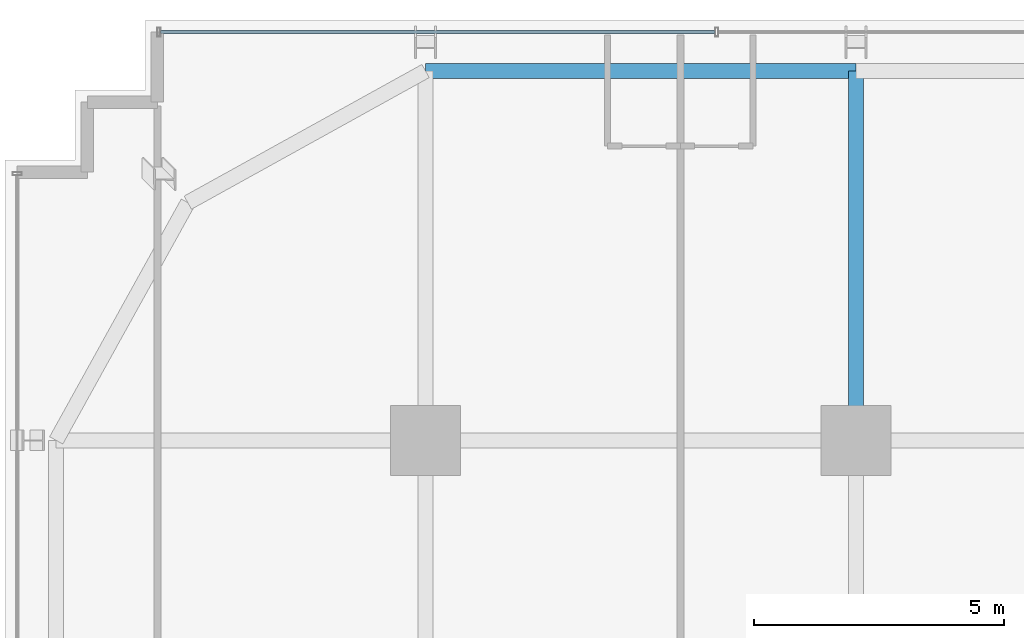
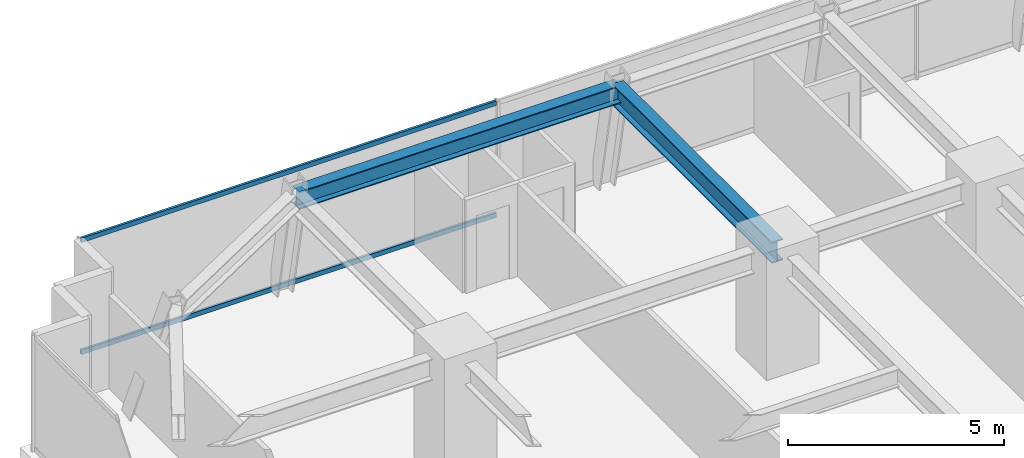
# One storey, part 20 of 35: 2 beams, 2 members, 1 element without a shape of its own.
"""IFC4 building model written with IfcOpenShell, lengths in metres."""

import ifcopenshell
import ifcopenshell.guid

model = None  # the IFC model being written
_history = None  # IfcOwnerHistory: only IFC2X3 demands one
_inside = {}  # id of a spatial element -> (the spatial element, [elements in it])
_under = {}  # id of a project, library or spatial element -> (it, [spatial elements below it])
_declared = {}  # id of a project -> (the project, [libraries it declares])
_typed = {}  # id of a type object -> (the type object, [elements of that type])
_made_of = {}  # id of a material, layer set ... -> (it, [elements and type objects made of it])


def new_model(schema):
    """Start an empty IFC model of exactly this schema.

    Asked for "IFC4X3", IfcOpenShell would pick the latest addendum, in which some entities
    have other attributes; the version numbers below select the first issue.
    IFC2X3 requires an IfcOwnerHistory on every rooted entity: one is made here for all.
    """
    global model, _history
    if schema == "IFC4X3":
        model = ifcopenshell.file(schema_version=(4, 3, 0, 0))
    else:
        model = ifcopenshell.file(schema=schema)
    _inside.clear()
    _under.clear()
    _declared.clear()
    _typed.clear()
    _made_of.clear()
    _history = None
    if model.schema == "IFC2X3":
        org = make("IfcOrganization", Name="unknown")
        user = make(
            "IfcPersonAndOrganization",
            ThePerson=make("IfcPerson", FamilyName="unknown"),
            TheOrganization=org,
        )
        app = make(
            "IfcApplication",
            ApplicationDeveloper=org,
            Version="unknown",
            ApplicationFullName="unknown",
            ApplicationIdentifier="unknown",
        )
        _history = make(
            "IfcOwnerHistory",
            OwningUser=user,
            OwningApplication=app,
            ChangeAction="ADDED",
            CreationDate=0,
        )
    return model


def make(cls, **values):
    """One entity of the class cls with the attributes given. An attribute that is None is left unset."""
    return model.create_entity(
        cls, **{name: value for name, value in values.items() if value is not None}
    )


def rooted(cls, **values):
    """An entity with a GlobalId (a new one), such as an element, a storey or a relation."""
    return make(cls, GlobalId=ifcopenshell.guid.new(), OwnerHistory=_history, **values)


def si_unit(unit_type, name, prefix=None):
    """IfcSIUnit, for example si_unit("LENGTHUNIT", "METRE", prefix="MILLI")."""
    return make("IfcSIUnit", UnitType=unit_type, Prefix=prefix, Name=name)


def assignment(units):
    """IfcUnitAssignment: the units of a project."""
    return None if units is None else make("IfcUnitAssignment", Units=units)


def point(xyz):
    """IfcCartesianPoint."""
    return None if xyz is None else make("IfcCartesianPoint", Coordinates=xyz)


def direction(xyz):
    """IfcDirection."""
    return None if xyz is None else make("IfcDirection", DirectionRatios=xyz)


def frame(location, z_axis=None, x_axis=None):
    """IfcAxis2Placement3D, a coordinate frame: its origin and axes. An axis left out is left unset."""
    return make(
        "IfcAxis2Placement3D",
        Location=point(location),
        Axis=direction(z_axis),
        RefDirection=direction(x_axis),
    )


def frame_2d(location, x_axis=None):
    """IfcAxis2Placement2D, a coordinate frame in the plane: its origin and x axis."""
    return make(
        "IfcAxis2Placement2D", Location=point(location), RefDirection=direction(x_axis)
    )


def origin():
    """The frame at (0, 0, 0) with its axes left unset."""
    return frame((0.0, 0.0, 0.0))


def origin_2d():
    """The frame at (0, 0) in the plane with its x axis left unset."""
    return frame_2d((0.0, 0.0))


def place(relative_to, where):
    """IfcLocalPlacement: puts the frame where relative to a parent placement (None: the world)."""
    return make(
        "IfcLocalPlacement", PlacementRelTo=relative_to, RelativePlacement=where
    )


def context(
    kind, dimensions, precision=None, world=None, true_north=None, identifier=None
):
    """IfcGeometricRepresentationContext, for example the 3D "Model" context."""
    return make(
        "IfcGeometricRepresentationContext",
        ContextIdentifier=identifier,
        ContextType=kind,
        CoordinateSpaceDimension=dimensions,
        Precision=precision,
        WorldCoordinateSystem=world,
        TrueNorth=true_north,
    )


def subcontext(parent, identifier, kind, view, scale=None):
    """IfcGeometricRepresentationSubContext, for example "Body" below "Model"."""
    return make(
        "IfcGeometricRepresentationSubContext",
        ContextIdentifier=identifier,
        ContextType=kind,
        ParentContext=parent,
        TargetScale=scale,
        TargetView=view,
    )


def project(units=None, contexts=None):
    """IfcProject with its units and contexts."""
    return rooted(
        "IfcProject",
        Name="project",
        RepresentationContexts=contexts,
        UnitsInContext=assignment(units),
    )


def spatial(cls, under=None, at=None, **own):
    """A site, building, storey or space (cls), placed at a placement, below another one or the project."""
    s = rooted(cls, ObjectPlacement=at, **own)
    if under is not None:
        _under.setdefault(under.id(), (under, []))[1].append(s)
    return s


def profile(cls, at=None, kind="AREA", **sizes):
    """A parametric profile (cls). Its sizes go by their IFC names, for example OverallWidth=200.0."""
    return make(cls, ProfileType=kind, Position=at, **sizes)


def hollow_rectangle(**sizes):
    """IfcRectangleHollowProfileDef."""
    return profile("IfcRectangleHollowProfileDef", **sizes)


def i_section(**sizes):
    """IfcIShapeProfileDef."""
    return profile("IfcIShapeProfileDef", **sizes)


def extrude(swept, where, along, depth):
    """IfcExtrudedAreaSolid: the profile swept, set in the frame where, extruded along a direction by depth."""
    return make(
        "IfcExtrudedAreaSolid",
        SweptArea=swept,
        Position=where,
        ExtrudedDirection=direction(along),
        Depth=depth,
    )


def shape(context_of_items, identifier, shape_type, items):
    """IfcShapeRepresentation: the items that make up one representation, for example the "Body"."""
    return make(
        "IfcShapeRepresentation",
        ContextOfItems=context_of_items,
        RepresentationIdentifier=identifier,
        RepresentationType=shape_type,
        Items=items,
    )


def source(mapping_origin, context_of_items, identifier, shape_type, items):
    """IfcRepresentationMap: a shape defined once, which mapped items show again and again."""
    return make(
        "IfcRepresentationMap",
        MappingOrigin=mapping_origin,
        MappedRepresentation=shape(context_of_items, identifier, shape_type, items),
    )


def transform(
    local_origin,
    x_axis=None,
    y_axis=None,
    z_axis=None,
    scale=None,
    scale2=None,
    scale3=None,
    uniform=True,
):
    """IfcCartesianTransformationOperator3D, or its non-uniform kind. x_axis, y_axis, z_axis: its Axis1, 2, 3."""
    if uniform:
        return make(
            "IfcCartesianTransformationOperator3D",
            Axis1=direction(x_axis),
            Axis2=direction(y_axis),
            LocalOrigin=point(local_origin),
            Scale=scale,
            Axis3=direction(z_axis),
        )
    return make(
        "IfcCartesianTransformationOperator3DnonUniform",
        Axis1=direction(x_axis),
        Axis2=direction(y_axis),
        LocalOrigin=point(local_origin),
        Scale=scale,
        Axis3=direction(z_axis),
        Scale2=scale2,
        Scale3=scale3,
    )


def mapped(mapping_source, mapping_target):
    """IfcMappedItem: shows the shape of a source again, moved by a transform."""
    return make(
        "IfcMappedItem", MappingSource=mapping_source, MappingTarget=mapping_target
    )


def material(Name=None, Category=None):
    """IfcMaterial."""
    return make("IfcMaterial", Name=Name, Category=Category)


def material_profile(
    of_material, cross_section, Name=None, Category=None, Priority=None
):
    """IfcMaterialProfile: a cross section and its material."""
    return make(
        "IfcMaterialProfile",
        Name=Name,
        Material=of_material,
        Profile=cross_section,
        Priority=Priority,
        Category=Category,
    )


def profile_set(profiles, Name=None, composite=None):
    """IfcMaterialProfileSet."""
    return make(
        "IfcMaterialProfileSet",
        Name=Name,
        MaterialProfiles=profiles,
        CompositeProfile=composite,
    )


def made_of(thing, what):
    """Note that an element or type object is made of a material, layer set ...; save() writes the relation."""
    if what is not None:
        _made_of.setdefault(what.id(), (what, []))[1].append(thing)
    return thing


def type_object(cls, material=None, **own):
    """A type object (cls), such as IfcWallType, which elements share."""
    return made_of(rooted(cls, **own), material)


def element(
    cls,
    number,
    at=None,
    inside=None,
    cuts=None,
    type_object=None,
    material=None,
    context=None,
    identifier="Body",
    shape_type=None,
    held_by="IfcProductDefinitionShape",
    body=None,
    shapes=None,
    **own,
):
    """One element of the class cls, such as IfcWall. Its Tag is "e" and its number.

    at: its placement. inside: the storey or other place that contains it. cuts: it is an
    opening in that element (IfcRelVoidsElement). A single representation is given by context,
    identifier, shape_type and body (its items); several are given by shapes. held_by: the class
    of the entity that holds the representations. save() writes the other relations.
    """
    e = rooted(cls, Tag="e%d" % number, ObjectPlacement=at, **own)
    if body is not None:
        shapes = [shape(context, identifier, shape_type, body)]
    if shapes is not None:
        e.Representation = make(held_by, Representations=shapes)
    if inside is not None:
        _inside.setdefault(inside.id(), (inside, []))[1].append(e)
    if cuts is not None:
        rooted(
            "IfcRelVoidsElement", RelatingBuildingElement=cuts, RelatedOpeningElement=e
        )
    if type_object is not None:
        _typed.setdefault(type_object.id(), (type_object, []))[1].append(e)
    return made_of(e, material)


def aggregate(whole, parts):
    """IfcRelAggregates: a whole, such as a stair, and the parts it consists of."""
    return rooted("IfcRelAggregates", RelatingObject=whole, RelatedObjects=parts)


def save(model, path):
    """Write the relations noted so far, then the file.

    IfcRelAggregates (storeys below a building ...), IfcRelContainedInSpatialStructure (elements
    in a storey), IfcRelDefinesByType, IfcRelAssociatesMaterial and IfcRelDeclares: one each for
    every whole, place, type object, material and project.
    """
    for whole, parts in _under.values():
        aggregate(whole, parts)
    for where, things in _inside.values():
        rooted(
            "IfcRelContainedInSpatialStructure",
            RelatedElements=things,
            RelatingStructure=where,
        )
    for kind, things in _typed.values():
        rooted("IfcRelDefinesByType", RelatedObjects=things, RelatingType=kind)
    for what, things in _made_of.values():
        rooted("IfcRelAssociatesMaterial", RelatedObjects=things, RelatingMaterial=what)
    for by, libraries in _declared.values():
        rooted("IfcRelDeclares", RelatingContext=by, RelatedDefinitions=libraries)
    model.write(path)


model = new_model("IFC4")

# Units and contexts
model_context = context("Model", 3, precision=1e-05, world=origin(), true_north=direction((0.0, 1.0)))
body_context = subcontext(model_context, "Body", "Model", "MODEL_VIEW")
ifc_project = project(units=[si_unit("LENGTHUNIT", "METRE"), si_unit("AREAUNIT", "SQUARE_METRE"), si_unit("VOLUMEUNIT", "CUBIC_METRE"), si_unit("PLANEANGLEUNIT", "RADIAN"), si_unit("MASSUNIT", "GRAM", prefix="KILO")], contexts=[model_context])

# Site, building, storey
site_placement = place(None, origin())
site = spatial("IfcSite", under=ifc_project, at=site_placement, CompositionType="ELEMENT")
building_placement = place(site_placement, origin())
building = spatial("IfcBuilding", under=site, at=building_placement, Name="Nahalor Promenade Grand Hotel", CompositionType="ELEMENT")
storey_placement = place(building_placement, frame((0.0, 0.0, 79.85009765625)))
storey = spatial("IfcBuildingStorey", under=building, at=storey_placement, Name="L19", CompositionType="ELEMENT", Elevation=79.85009765625)

# Beams
ifc_material_1 = material(Name="Steel S355JR", Category="steel")
ifc_material_profile_1 = material_profile(ifc_material_1, i_section(OverallWidth=0.3, OverallDepth=0.5, WebThickness=0.0145, FlangeThickness=0.028, at=origin_2d()), Name="HEB 500")
ifc_profile_set_1 = profile_set([ifc_material_profile_1], Name="Steel S355JR")
beam_type_1 = type_object("IfcBeamType", Name="Beam-Spandrel-HEB500", PredefinedType="SPANDREL", material=ifc_profile_set_1)
shared_shape_1 = source(origin(), body_context, "Body", "SweptSolid", [
    extrude(i_section(OverallWidth=0.3, OverallDepth=0.5, WebThickness=0.0145, FlangeThickness=0.028, at=origin_2d()), origin(), (0.0, 0.0, 1.0), 8.60009765625),
])
beam_1_placement = place(storey_placement, frame((-17.0, 24.3798828125, 3.039794921875), z_axis=(1.0, 0.0, 0.0), x_axis=(0.0, 1.0, 0.0)))
element("IfcBeam", 1, at=beam_1_placement, inside=storey, type_object=beam_type_1, Name="BM-L19-SP-N-0", PredefinedType="SPANDREL", context=body_context, shape_type="MappedRepresentation", body=[
    mapped(shared_shape_1, transform((0.0, 0.0, 0.0), scale=1.0)),
])
ifc_material_profile_2 = material_profile(ifc_material_1, i_section(OverallWidth=0.3, OverallDepth=0.6, WebThickness=0.0155, FlangeThickness=0.03, at=origin_2d()), Name="HEB 600")
ifc_profile_set_2 = profile_set([ifc_material_profile_2], Name="Steel S355JR")
beam_type_2 = type_object("IfcBeamType", Name="Beam-Girder-HEB600", PredefinedType="BEAM", material=ifc_profile_set_2)
shared_shape_2 = source(origin(), body_context, "Body", "SweptSolid", [
    extrude(i_section(OverallWidth=0.3, OverallDepth=0.6, WebThickness=0.0155, FlangeThickness=0.03, at=origin_2d()), origin(), (0.0, 0.0, 1.0), 7.3798828125),
])
beam_2_placement = place(storey_placement, frame((-8.39990234375, 17.0, 2.989990234375), z_axis=(0.0, 1.0, 0.0), x_axis=(-1.0, 0.0, 0.0)))
element("IfcBeam", 2, at=beam_2_placement, inside=storey, type_object=beam_type_2, Name="BM-L19-GY-1-4", PredefinedType="BEAM", context=body_context, shape_type="MappedRepresentation", body=[
    mapped(shared_shape_2, transform((0.0, 0.0, 0.0), scale=1.0)),
])

# Curtain wall, members
ifc_material_2 = material(Name="Anodised Bronze Aluminium EN AW-6063 T6", Category="aluminium")
curtain_wall_type = type_object("IfcCurtainWallType", Name="CW2 Typical Hotel Flush Bronze Unitised Curtain Wall", PredefinedType="USERDEFINED", material=ifc_material_2)
curtain_wall_placement = place(storey_placement, origin())
curtain_wall = element("IfcCurtainWall", 3, at=curtain_wall_placement, inside=storey, type_object=curtain_wall_type, Name="L19 Curtain Wall CW-L19-N-1", ObjectType="UNITISED_CURTAIN_WALL", PredefinedType="USERDEFINED")
ifc_material_profile_3 = material_profile(ifc_material_2, hollow_rectangle(XDim=0.065, YDim=0.13, WallThickness=0.004, at=origin_2d()), Name="CWT 65x130x4")
ifc_profile_set_3 = profile_set([ifc_material_profile_3], Name="Anodised Bronze Aluminium EN AW-6063 T6")
member_type = type_object("IfcMemberType", Name="CWT2 Typical Bronze Transom 65x130", PredefinedType="USERDEFINED", material=ifc_profile_set_3)
shared_shape_3 = source(origin(), body_context, "Body", "SweptSolid", [
    extrude(hollow_rectangle(XDim=0.065, YDim=0.13, WallThickness=0.004, at=origin_2d()), origin(), (0.0, 0.0, 1.0), 11.08251953125),
])
member_1_placement = place(storey_placement, frame((-22.294921875, 25.159912109375, 0.06494140625), z_axis=(1.0, 0.0, 0.0), x_axis=(0.0, 1.0, 0.0)))
member_1 = element("IfcMember", 4, at=member_1_placement, type_object=member_type, Name="CW-L19-N-1 Transom 0-0", ObjectType="TRANSOM", PredefinedType="USERDEFINED", context=body_context, shape_type="MappedRepresentation", body=[
    mapped(shared_shape_3, transform((0.0, 0.0, 0.0), scale=1.0)),
])
member_2_placement = place(storey_placement, frame((-22.294921875, 25.159912109375, 3.224853515625), z_axis=(1.0, 0.0, 0.0), x_axis=(0.0, 1.0, 0.0)))
member_2 = element("IfcMember", 5, at=member_2_placement, type_object=member_type, Name="CW-L19-N-1 Transom 0-1", ObjectType="TRANSOM", PredefinedType="USERDEFINED", context=body_context, shape_type="MappedRepresentation", body=[
    mapped(shared_shape_3, transform((0.0, 0.0, 0.0), scale=1.0)),
])
aggregate(curtain_wall, [member_1, member_2])

save(model, "model.ifc")
